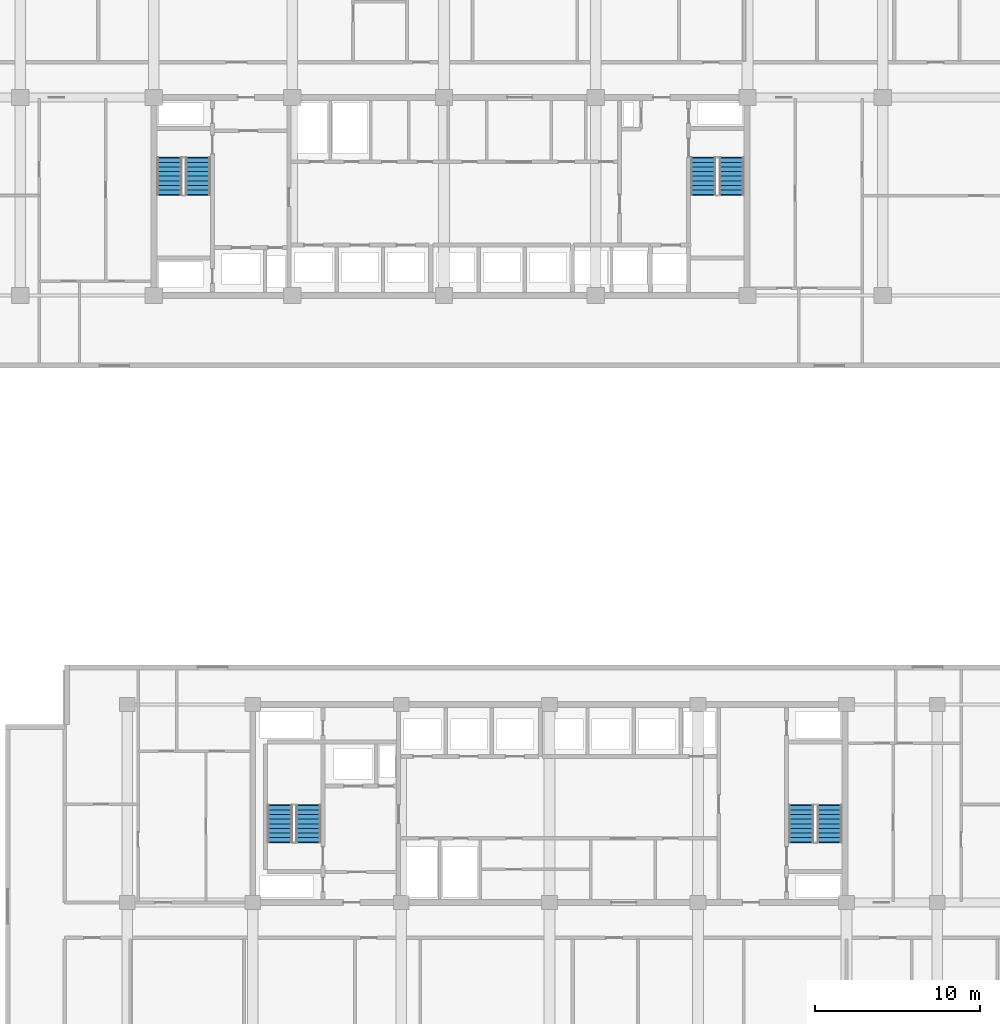
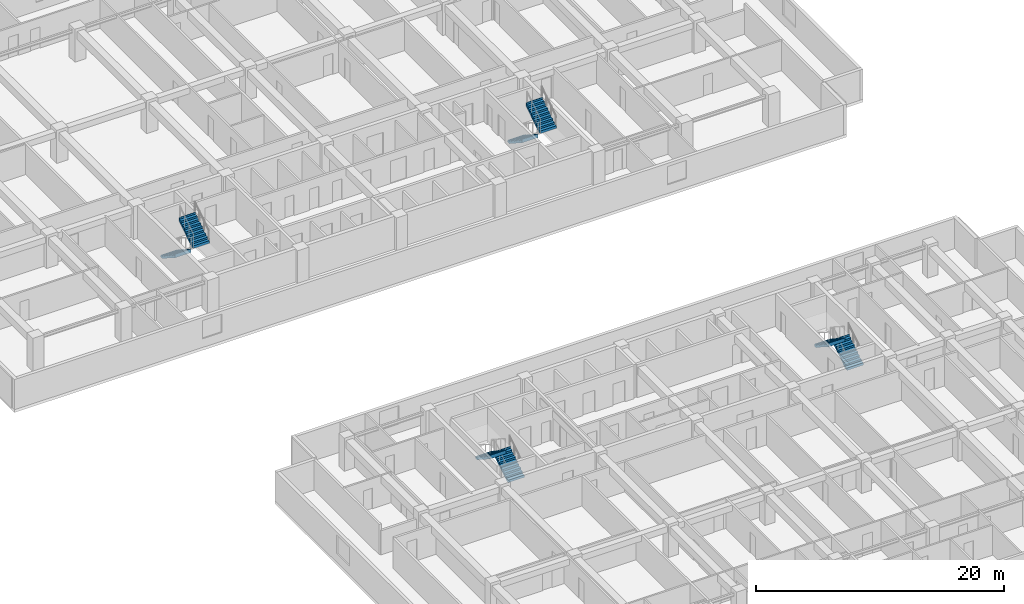
# One storey, part 18 of 23: 8 stair flights, 4 elements without a shape of their own.
"""IFC4 building model written with IfcOpenShell, lengths in metres."""

from ifc_helpers import new_model, si_unit, direction, frame, origin, place, context, subcontext, project, spatial, polyline, outline, extrude, material, type_object, element, aggregate, save


model = new_model("IFC4")

# Units and contexts
model_context = context("Model", 3, precision=1e-05, world=origin(), true_north=direction((0.0, 1.0)))
body_context = subcontext(model_context, "Body", "Model", "MODEL_VIEW")
ifc_project = project(units=[si_unit("LENGTHUNIT", "METRE"), si_unit("AREAUNIT", "SQUARE_METRE"), si_unit("VOLUMEUNIT", "CUBIC_METRE"), si_unit("PLANEANGLEUNIT", "RADIAN"), si_unit("MASSUNIT", "GRAM", prefix="KILO")], contexts=[model_context])

# Site, building, storey
site_placement = place(None, origin())
site = spatial("IfcSite", under=ifc_project, at=site_placement, CompositionType="ELEMENT")
building_placement = place(site_placement, origin())
building = spatial("IfcBuilding", under=site, at=building_placement, Name="Korimba Cascade Residences", CompositionType="ELEMENT")
storey_placement = place(building_placement, frame((0.0, 0.0, 69.5)))
storey = spatial("IfcBuildingStorey", under=building, at=storey_placement, Name="L19", CompositionType="ELEMENT", Elevation=69.5)

# Stair, stair flights
ifc_material = material(Name="Concrete C50/60", Category="concrete")
stair_type_1 = type_object("IfcStairType", Name="STR-W1-18R-1806", PredefinedType="HALF_TURN_STAIR", material=ifc_material)
stair_1_placement = place(storey_placement, origin())
stair_1 = element("IfcStair", 1, at=stair_1_placement, inside=storey, type_object=stair_type_1, Name="L19 Tower 1 West Fire Stair ST-W1", PredefinedType="HALF_TURN_STAIR")
stair_flight_type = type_object("IfcStairFlightType", Name="STF-DL-18R-1806-1520", PredefinedType="STRAIGHT", material=ifc_material)
stair_flight_1_placement = place(storey_placement, frame((77.06005859375, 63.550048828125, 0.0), z_axis=(0.0, 0.0, 1.0), x_axis=(0.0, -1.0, 0.0)))
stair_flight_1 = element("IfcStairFlight", 2, at=stair_flight_1_placement, type_object=stair_flight_type, Name="ST-W1 flight 1", NumberOfRisers=9, NumberOfTreads=8, PredefinedType="STRAIGHT", RiserHeight=0.180555556, TreadLength=0.28, context=body_context, shape_type="SweptSolid", body=[
    extrude(outline(polyline([(-0.0380859375, 0.0), (0.0, 0.1806640625), (0.280029296875, 0.1806640625), (0.280029296875, 0.361083984375), (0.56005859375, 0.361083984375), (0.56005859375, 0.541748046875), (0.840087890625, 0.541748046875), (0.840087890625, 0.72216796875), (1.1201171875, 0.72216796875), (1.1201171875, 0.90283203125), (1.39990234375, 0.90283203125), (1.39990234375, 1.083251953125), (1.679931640625, 1.083251953125), (1.679931640625, 1.263916015625), (1.9599609375, 1.263916015625), (1.9599609375, 1.4443359375), (2.239990234375, 1.4443359375), (2.239990234375, 1.625), (2.278076171875, 1.625), (2.278076171875, 1.26611328125), (0.276611328125, 0.0), (0.276611328125, -0.0380859375), (-0.0380859375, -0.0380859375), (-0.0380859375, 0.0)])), frame((0.0, 0.760009765625, 0.0), z_axis=(0.0, -1.0, 0.0), x_axis=(1.0, 0.0, 0.0)), (0.0, 0.0, 1.0), 1.52001953125),
])
stair_flight_2_placement = place(storey_placement, frame((78.780029296875, 61.31005859375, 1.625), z_axis=(0.0, 0.0, 1.0), x_axis=(0.0, 1.0, 0.0)))
stair_flight_2 = element("IfcStairFlight", 3, at=stair_flight_2_placement, type_object=stair_flight_type, Name="ST-W1 flight 2", NumberOfRisers=9, NumberOfTreads=8, PredefinedType="STRAIGHT", RiserHeight=0.180555556, TreadLength=0.28, context=body_context, shape_type="SweptSolid", body=[
    extrude(outline(polyline([(-0.0380859375, 0.0), (0.0, 0.1806640625), (0.280029296875, 0.1806640625), (0.280029296875, 0.361083984375), (0.56005859375, 0.361083984375), (0.56005859375, 0.541748046875), (0.840087890625, 0.541748046875), (0.840087890625, 0.72216796875), (1.1201171875, 0.72216796875), (1.1201171875, 0.90283203125), (1.39990234375, 0.90283203125), (1.39990234375, 1.083251953125), (1.679931640625, 1.083251953125), (1.679931640625, 1.263916015625), (1.9599609375, 1.263916015625), (1.9599609375, 1.4443359375), (2.239990234375, 1.4443359375), (2.239990234375, 1.625), (2.278076171875, 1.625), (2.278076171875, 1.26611328125), (0.276611328125, 0.0), (0.276611328125, -0.0380859375), (-0.0380859375, -0.0380859375), (-0.0380859375, 0.0)])), frame((0.0, 0.760009765625, 0.0), z_axis=(0.0, -1.0, 0.0), x_axis=(1.0, 0.0, 0.0)), (0.0, 0.0, 1.0), 1.52001953125),
])
aggregate(stair_1, [stair_flight_1, stair_flight_2])

stair_type_2 = type_object("IfcStairType", Name="STR-W2-18R-1806", PredefinedType="HALF_TURN_STAIR", material=ifc_material)
stair_2_placement = place(storey_placement, origin())
stair_2 = element("IfcStair", 4, at=stair_2_placement, inside=storey, type_object=stair_type_2, Name="L19 Tower 1 East Fire Stair ST-W2", PredefinedType="HALF_TURN_STAIR")
stair_flight_3_placement = place(storey_placement, frame((109.419921875, 63.550048828125, 0.0), z_axis=(0.0, 0.0, 1.0), x_axis=(0.0, -1.0, 0.0)))
stair_flight_3 = element("IfcStairFlight", 5, at=stair_flight_3_placement, type_object=stair_flight_type, Name="ST-W2 flight 1", NumberOfRisers=9, NumberOfTreads=8, PredefinedType="STRAIGHT", RiserHeight=0.180555556, TreadLength=0.28, context=body_context, shape_type="SweptSolid", body=[
    extrude(outline(polyline([(-0.0380859375, 0.0), (0.0, 0.1806640625), (0.280029296875, 0.1806640625), (0.280029296875, 0.361083984375), (0.56005859375, 0.361083984375), (0.56005859375, 0.541748046875), (0.840087890625, 0.541748046875), (0.840087890625, 0.72216796875), (1.1201171875, 0.72216796875), (1.1201171875, 0.90283203125), (1.39990234375, 0.90283203125), (1.39990234375, 1.083251953125), (1.679931640625, 1.083251953125), (1.679931640625, 1.263916015625), (1.9599609375, 1.263916015625), (1.9599609375, 1.4443359375), (2.239990234375, 1.4443359375), (2.239990234375, 1.625), (2.278076171875, 1.625), (2.278076171875, 1.26611328125), (0.276611328125, 0.0), (0.276611328125, -0.0380859375), (-0.0380859375, -0.0380859375), (-0.0380859375, 0.0)])), frame((0.0, 0.760009765625, 0.0), z_axis=(0.0, -1.0, 0.0), x_axis=(1.0, 0.0, 0.0)), (0.0, 0.0, 1.0), 1.52001953125),
])
stair_flight_4_placement = place(storey_placement, frame((111.139892578125, 61.31005859375, 1.625), z_axis=(0.0, 0.0, 1.0), x_axis=(0.0, 1.0, 0.0)))
stair_flight_4 = element("IfcStairFlight", 6, at=stair_flight_4_placement, type_object=stair_flight_type, Name="ST-W2 flight 2", NumberOfRisers=9, NumberOfTreads=8, PredefinedType="STRAIGHT", RiserHeight=0.180555556, TreadLength=0.28, context=body_context, shape_type="SweptSolid", body=[
    extrude(outline(polyline([(-0.0380859375, 0.0), (0.0, 0.1806640625), (0.280029296875, 0.1806640625), (0.280029296875, 0.361083984375), (0.56005859375, 0.361083984375), (0.56005859375, 0.541748046875), (0.840087890625, 0.541748046875), (0.840087890625, 0.72216796875), (1.1201171875, 0.72216796875), (1.1201171875, 0.90283203125), (1.39990234375, 0.90283203125), (1.39990234375, 1.083251953125), (1.679931640625, 1.083251953125), (1.679931640625, 1.263916015625), (1.9599609375, 1.263916015625), (1.9599609375, 1.4443359375), (2.239990234375, 1.4443359375), (2.239990234375, 1.625), (2.278076171875, 1.625), (2.278076171875, 1.26611328125), (0.276611328125, 0.0), (0.276611328125, -0.0380859375), (-0.0380859375, -0.0380859375), (-0.0380859375, 0.0)])), frame((0.0, 0.760009765625, 0.0), z_axis=(0.0, -1.0, 0.0), x_axis=(1.0, 0.0, 0.0)), (0.0, 0.0, 1.0), 1.52001953125),
])
aggregate(stair_2, [stair_flight_3, stair_flight_4])

stair_type_3 = type_object("IfcStairType", Name="STR-E1-18R-1806", PredefinedType="HALF_TURN_STAIR", material=ifc_material)
stair_3_placement = place(storey_placement, origin())
stair_3 = element("IfcStair", 7, at=stair_3_placement, inside=storey, type_object=stair_type_3, Name="L19 Tower 2 West Fire Stair ST-E1", PredefinedType="HALF_TURN_STAIR")
stair_flight_5_placement = place(storey_placement, frame((85.47998046875, 22.050048828125, 0.0), z_axis=(0.0, 0.0, 1.0), x_axis=(0.0, 1.0, 0.0)))
stair_flight_5 = element("IfcStairFlight", 8, at=stair_flight_5_placement, type_object=stair_flight_type, Name="ST-E1 flight 1", NumberOfRisers=9, NumberOfTreads=8, PredefinedType="STRAIGHT", RiserHeight=0.180555556, TreadLength=0.28, context=body_context, shape_type="SweptSolid", body=[
    extrude(outline(polyline([(-0.0380859375, 0.0), (0.0, 0.1806640625), (0.280029296875, 0.1806640625), (0.280029296875, 0.361083984375), (0.56005859375, 0.361083984375), (0.56005859375, 0.541748046875), (0.840087890625, 0.541748046875), (0.840087890625, 0.72216796875), (1.1201171875, 0.72216796875), (1.1201171875, 0.90283203125), (1.39990234375, 0.90283203125), (1.39990234375, 1.083251953125), (1.679931640625, 1.083251953125), (1.679931640625, 1.263916015625), (1.9599609375, 1.263916015625), (1.9599609375, 1.4443359375), (2.239990234375, 1.4443359375), (2.239990234375, 1.625), (2.278076171875, 1.625), (2.278076171875, 1.26611328125), (0.276611328125, 0.0), (0.276611328125, -0.0380859375), (-0.0380859375, -0.0380859375), (-0.0380859375, 0.0)])), frame((0.0, 0.760009765625, 0.0), z_axis=(0.0, -1.0, 0.0), x_axis=(1.0, 0.0, 0.0)), (0.0, 0.0, 1.0), 1.52001953125),
])
stair_flight_6_placement = place(storey_placement, frame((83.760009765625, 24.2900390625, 1.625), z_axis=(0.0, 0.0, 1.0), x_axis=(0.0, -1.0, 0.0)))
stair_flight_6 = element("IfcStairFlight", 9, at=stair_flight_6_placement, type_object=stair_flight_type, Name="ST-E1 flight 2", NumberOfRisers=9, NumberOfTreads=8, PredefinedType="STRAIGHT", RiserHeight=0.180555556, TreadLength=0.28, context=body_context, shape_type="SweptSolid", body=[
    extrude(outline(polyline([(-0.0380859375, 0.0), (0.0, 0.1806640625), (0.280029296875, 0.1806640625), (0.280029296875, 0.361083984375), (0.56005859375, 0.361083984375), (0.56005859375, 0.541748046875), (0.840087890625, 0.541748046875), (0.840087890625, 0.72216796875), (1.1201171875, 0.72216796875), (1.1201171875, 0.90283203125), (1.39990234375, 0.90283203125), (1.39990234375, 1.083251953125), (1.679931640625, 1.083251953125), (1.679931640625, 1.263916015625), (1.9599609375, 1.263916015625), (1.9599609375, 1.4443359375), (2.239990234375, 1.4443359375), (2.239990234375, 1.625), (2.278076171875, 1.625), (2.278076171875, 1.26611328125), (0.276611328125, 0.0), (0.276611328125, -0.0380859375), (-0.0380859375, -0.0380859375), (-0.0380859375, 0.0)])), frame((0.0, 0.760009765625, 0.0), z_axis=(0.0, -1.0, 0.0), x_axis=(1.0, 0.0, 0.0)), (0.0, 0.0, 1.0), 1.52001953125),
])
aggregate(stair_3, [stair_flight_5, stair_flight_6])

stair_type_4 = type_object("IfcStairType", Name="STR-E2-18R-1806", PredefinedType="HALF_TURN_STAIR", material=ifc_material)
stair_4_placement = place(storey_placement, origin())
stair_4 = element("IfcStair", 10, at=stair_4_placement, inside=storey, type_object=stair_type_4, Name="L19 Tower 2 East Fire Stair ST-E2", PredefinedType="HALF_TURN_STAIR")
stair_flight_7_placement = place(storey_placement, frame((117.080078125, 22.050048828125, 0.0), z_axis=(0.0, 0.0, 1.0), x_axis=(0.0, 1.0, 0.0)))
stair_flight_7 = element("IfcStairFlight", 11, at=stair_flight_7_placement, type_object=stair_flight_type, Name="ST-E2 flight 1", NumberOfRisers=9, NumberOfTreads=8, PredefinedType="STRAIGHT", RiserHeight=0.180555556, TreadLength=0.28, context=body_context, shape_type="SweptSolid", body=[
    extrude(outline(polyline([(-0.0380859375, 0.0), (0.0, 0.1806640625), (0.280029296875, 0.1806640625), (0.280029296875, 0.361083984375), (0.56005859375, 0.361083984375), (0.56005859375, 0.541748046875), (0.840087890625, 0.541748046875), (0.840087890625, 0.72216796875), (1.1201171875, 0.72216796875), (1.1201171875, 0.90283203125), (1.39990234375, 0.90283203125), (1.39990234375, 1.083251953125), (1.679931640625, 1.083251953125), (1.679931640625, 1.263916015625), (1.9599609375, 1.263916015625), (1.9599609375, 1.4443359375), (2.239990234375, 1.4443359375), (2.239990234375, 1.625), (2.278076171875, 1.625), (2.278076171875, 1.26611328125), (0.276611328125, 0.0), (0.276611328125, -0.0380859375), (-0.0380859375, -0.0380859375), (-0.0380859375, 0.0)])), frame((0.0, 0.760009765625, 0.0), z_axis=(0.0, -1.0, 0.0), x_axis=(1.0, 0.0, 0.0)), (0.0, 0.0, 1.0), 1.52001953125),
])
stair_flight_8_placement = place(storey_placement, frame((115.360107421875, 24.2900390625, 1.625), z_axis=(0.0, 0.0, 1.0), x_axis=(0.0, -1.0, 0.0)))
stair_flight_8 = element("IfcStairFlight", 12, at=stair_flight_8_placement, type_object=stair_flight_type, Name="ST-E2 flight 2", NumberOfRisers=9, NumberOfTreads=8, PredefinedType="STRAIGHT", RiserHeight=0.180555556, TreadLength=0.28, context=body_context, shape_type="SweptSolid", body=[
    extrude(outline(polyline([(-0.0380859375, 0.0), (0.0, 0.1806640625), (0.280029296875, 0.1806640625), (0.280029296875, 0.361083984375), (0.56005859375, 0.361083984375), (0.56005859375, 0.541748046875), (0.840087890625, 0.541748046875), (0.840087890625, 0.72216796875), (1.1201171875, 0.72216796875), (1.1201171875, 0.90283203125), (1.39990234375, 0.90283203125), (1.39990234375, 1.083251953125), (1.679931640625, 1.083251953125), (1.679931640625, 1.263916015625), (1.9599609375, 1.263916015625), (1.9599609375, 1.4443359375), (2.239990234375, 1.4443359375), (2.239990234375, 1.625), (2.278076171875, 1.625), (2.278076171875, 1.26611328125), (0.276611328125, 0.0), (0.276611328125, -0.0380859375), (-0.0380859375, -0.0380859375), (-0.0380859375, 0.0)])), frame((0.0, 0.760009765625, 0.0), z_axis=(0.0, -1.0, 0.0), x_axis=(1.0, 0.0, 0.0)), (0.0, 0.0, 1.0), 1.52001953125),
])
aggregate(stair_4, [stair_flight_7, stair_flight_8])

save(model, "model.ifc")
